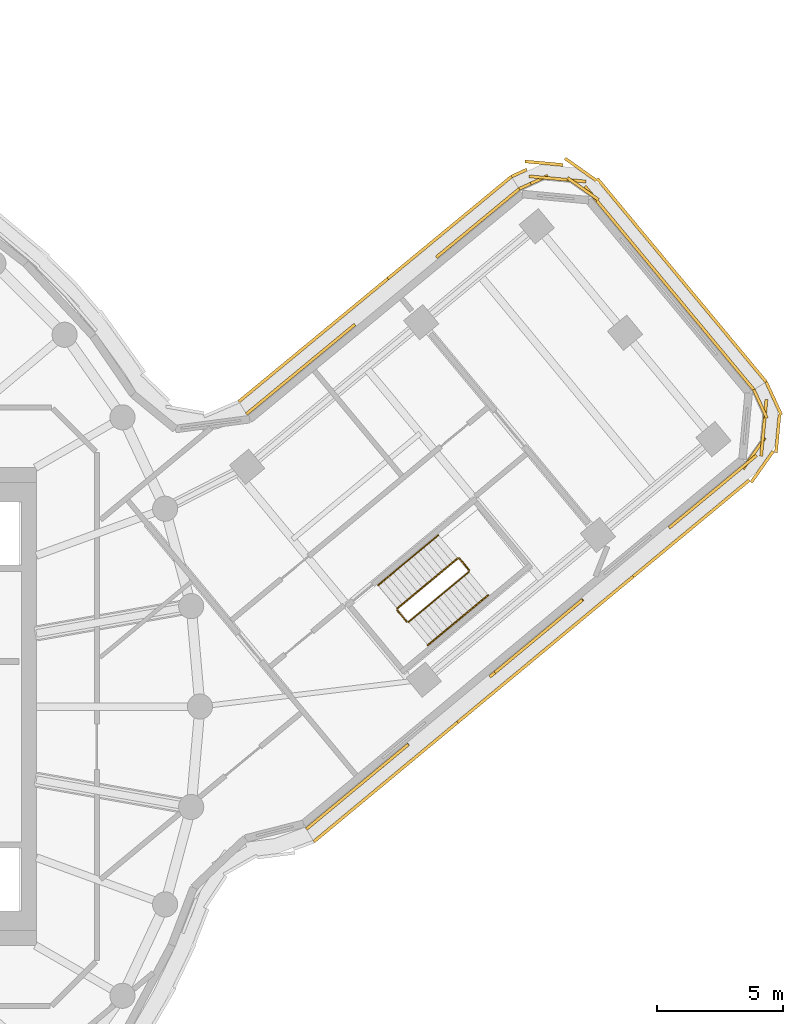
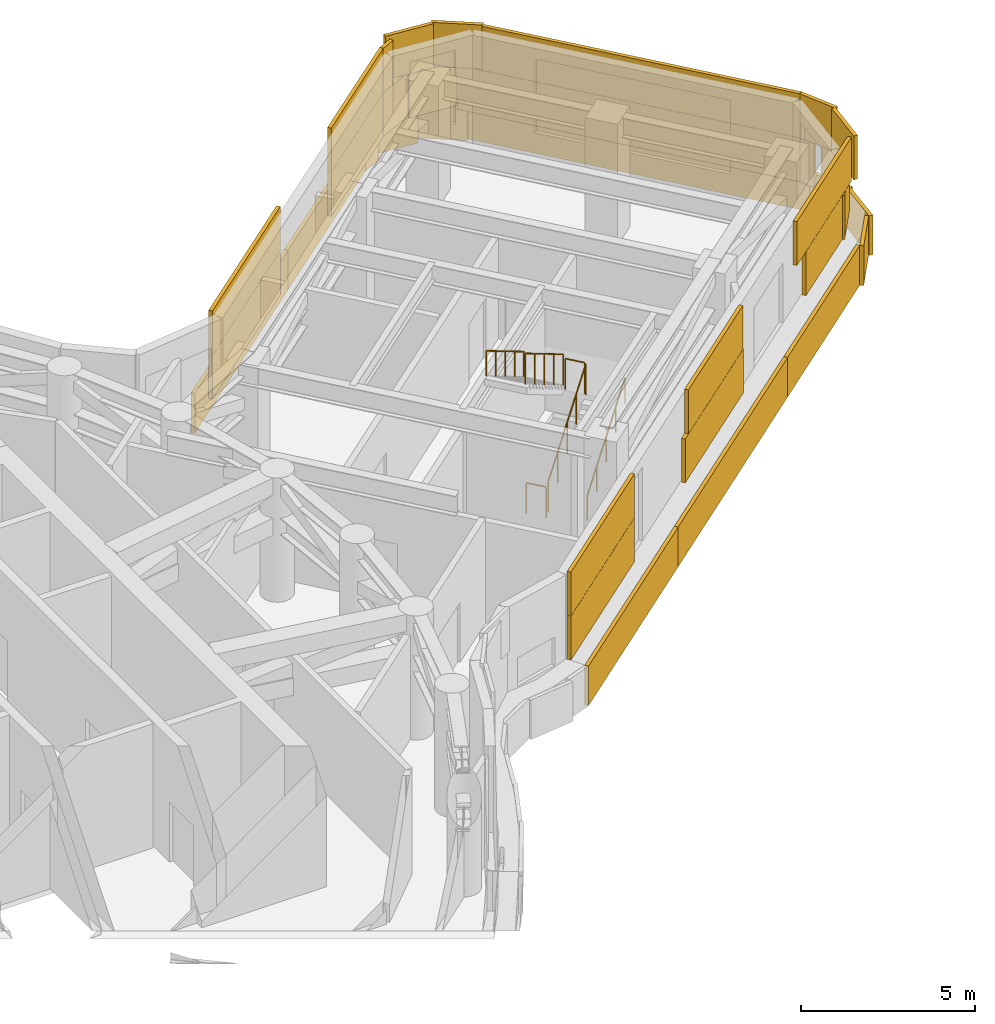
# One storey, part 20 of 22: 6 coverings, 6 railings.
"""IFC4 building model written with IfcOpenShell, lengths in metres."""

import ifcopenshell
import ifcopenshell.guid

model = None  # the IFC model being written
_history = None  # IfcOwnerHistory: only IFC2X3 demands one
_inside = {}  # id of a spatial element -> (the spatial element, [elements in it])
_under = {}  # id of a project, library or spatial element -> (it, [spatial elements below it])
_declared = {}  # id of a project -> (the project, [libraries it declares])
_typed = {}  # id of a type object -> (the type object, [elements of that type])
_made_of = {}  # id of a material, layer set ... -> (it, [elements and type objects made of it])


def new_model(schema):
    """Start an empty IFC model of exactly this schema.

    Asked for "IFC4X3", IfcOpenShell would pick the latest addendum, in which some entities
    have other attributes; the version numbers below select the first issue.
    IFC2X3 requires an IfcOwnerHistory on every rooted entity: one is made here for all.
    """
    global model, _history
    if schema == "IFC4X3":
        model = ifcopenshell.file(schema_version=(4, 3, 0, 0))
    else:
        model = ifcopenshell.file(schema=schema)
    _inside.clear()
    _under.clear()
    _declared.clear()
    _typed.clear()
    _made_of.clear()
    _history = None
    if model.schema == "IFC2X3":
        org = make("IfcOrganization", Name="unknown")
        user = make(
            "IfcPersonAndOrganization",
            ThePerson=make("IfcPerson", FamilyName="unknown"),
            TheOrganization=org,
        )
        app = make(
            "IfcApplication",
            ApplicationDeveloper=org,
            Version="unknown",
            ApplicationFullName="unknown",
            ApplicationIdentifier="unknown",
        )
        _history = make(
            "IfcOwnerHistory",
            OwningUser=user,
            OwningApplication=app,
            ChangeAction="ADDED",
            CreationDate=0,
        )
    return model


def make(cls, **values):
    """One entity of the class cls with the attributes given. An attribute that is None is left unset."""
    return model.create_entity(
        cls, **{name: value for name, value in values.items() if value is not None}
    )


def rooted(cls, **values):
    """An entity with a GlobalId (a new one), such as an element, a storey or a relation."""
    return make(cls, GlobalId=ifcopenshell.guid.new(), OwnerHistory=_history, **values)


def si_unit(unit_type, name, prefix=None):
    """IfcSIUnit, for example si_unit("LENGTHUNIT", "METRE", prefix="MILLI")."""
    return make("IfcSIUnit", UnitType=unit_type, Prefix=prefix, Name=name)


def assignment(units):
    """IfcUnitAssignment: the units of a project."""
    return None if units is None else make("IfcUnitAssignment", Units=units)


def point(xyz):
    """IfcCartesianPoint."""
    return None if xyz is None else make("IfcCartesianPoint", Coordinates=xyz)


def direction(xyz):
    """IfcDirection."""
    return None if xyz is None else make("IfcDirection", DirectionRatios=xyz)


def frame(location, z_axis=None, x_axis=None):
    """IfcAxis2Placement3D, a coordinate frame: its origin and axes. An axis left out is left unset."""
    return make(
        "IfcAxis2Placement3D",
        Location=point(location),
        Axis=direction(z_axis),
        RefDirection=direction(x_axis),
    )


def frame_2d(location, x_axis=None):
    """IfcAxis2Placement2D, a coordinate frame in the plane: its origin and x axis."""
    return make(
        "IfcAxis2Placement2D", Location=point(location), RefDirection=direction(x_axis)
    )


def origin():
    """The frame at (0, 0, 0) with its axes left unset."""
    return frame((0.0, 0.0, 0.0))


def origin_2d():
    """The frame at (0, 0) in the plane with its x axis left unset."""
    return frame_2d((0.0, 0.0))


def place(relative_to, where):
    """IfcLocalPlacement: puts the frame where relative to a parent placement (None: the world)."""
    return make(
        "IfcLocalPlacement", PlacementRelTo=relative_to, RelativePlacement=where
    )


def context(
    kind, dimensions, precision=None, world=None, true_north=None, identifier=None
):
    """IfcGeometricRepresentationContext, for example the 3D "Model" context."""
    return make(
        "IfcGeometricRepresentationContext",
        ContextIdentifier=identifier,
        ContextType=kind,
        CoordinateSpaceDimension=dimensions,
        Precision=precision,
        WorldCoordinateSystem=world,
        TrueNorth=true_north,
    )


def subcontext(parent, identifier, kind, view, scale=None):
    """IfcGeometricRepresentationSubContext, for example "Body" below "Model"."""
    return make(
        "IfcGeometricRepresentationSubContext",
        ContextIdentifier=identifier,
        ContextType=kind,
        ParentContext=parent,
        TargetScale=scale,
        TargetView=view,
    )


def project(units=None, contexts=None):
    """IfcProject with its units and contexts."""
    return rooted(
        "IfcProject",
        Name="project",
        RepresentationContexts=contexts,
        UnitsInContext=assignment(units),
    )


def spatial(cls, under=None, at=None, **own):
    """A site, building, storey or space (cls), placed at a placement, below another one or the project."""
    s = rooted(cls, ObjectPlacement=at, **own)
    if under is not None:
        _under.setdefault(under.id(), (under, []))[1].append(s)
    return s


def profile(cls, at=None, kind="AREA", **sizes):
    """A parametric profile (cls). Its sizes go by their IFC names, for example OverallWidth=200.0."""
    return make(cls, ProfileType=kind, Position=at, **sizes)


def rectangle(**sizes):
    """IfcRectangleProfileDef."""
    return profile("IfcRectangleProfileDef", **sizes)


def circle(**sizes):
    """IfcCircleProfileDef."""
    return profile("IfcCircleProfileDef", **sizes)


def extrude(swept, where, along, depth):
    """IfcExtrudedAreaSolid: the profile swept, set in the frame where, extruded along a direction by depth."""
    return make(
        "IfcExtrudedAreaSolid",
        SweptArea=swept,
        Position=where,
        ExtrudedDirection=direction(along),
        Depth=depth,
    )


def shape(context_of_items, identifier, shape_type, items):
    """IfcShapeRepresentation: the items that make up one representation, for example the "Body"."""
    return make(
        "IfcShapeRepresentation",
        ContextOfItems=context_of_items,
        RepresentationIdentifier=identifier,
        RepresentationType=shape_type,
        Items=items,
    )


def material(Name=None, Category=None):
    """IfcMaterial."""
    return make("IfcMaterial", Name=Name, Category=Category)


def layer(
    of_material, thickness, ventilated=None, Name=None, Category=None, Priority=None
):
    """IfcMaterialLayer: one layer of a wall or slab, of a material (None: an air gap)."""
    return make(
        "IfcMaterialLayer",
        Material=of_material,
        LayerThickness=thickness,
        IsVentilated=ventilated,
        Name=Name,
        Category=Category,
        Priority=Priority,
    )


def layer_set(layers, Name=None):
    """IfcMaterialLayerSet."""
    return make("IfcMaterialLayerSet", MaterialLayers=layers, LayerSetName=Name)


def made_of(thing, what):
    """Note that an element or type object is made of a material, layer set ...; save() writes the relation."""
    if what is not None:
        _made_of.setdefault(what.id(), (what, []))[1].append(thing)
    return thing


def type_object(cls, material=None, **own):
    """A type object (cls), such as IfcWallType, which elements share."""
    return made_of(rooted(cls, **own), material)


def element(
    cls,
    number,
    at=None,
    inside=None,
    cuts=None,
    type_object=None,
    material=None,
    context=None,
    identifier="Body",
    shape_type=None,
    held_by="IfcProductDefinitionShape",
    body=None,
    shapes=None,
    **own,
):
    """One element of the class cls, such as IfcWall. Its Tag is "e" and its number.

    at: its placement. inside: the storey or other place that contains it. cuts: it is an
    opening in that element (IfcRelVoidsElement). A single representation is given by context,
    identifier, shape_type and body (its items); several are given by shapes. held_by: the class
    of the entity that holds the representations. save() writes the other relations.
    """
    e = rooted(cls, Tag="e%d" % number, ObjectPlacement=at, **own)
    if body is not None:
        shapes = [shape(context, identifier, shape_type, body)]
    if shapes is not None:
        e.Representation = make(held_by, Representations=shapes)
    if inside is not None:
        _inside.setdefault(inside.id(), (inside, []))[1].append(e)
    if cuts is not None:
        rooted(
            "IfcRelVoidsElement", RelatingBuildingElement=cuts, RelatedOpeningElement=e
        )
    if type_object is not None:
        _typed.setdefault(type_object.id(), (type_object, []))[1].append(e)
    return made_of(e, material)


def aggregate(whole, parts):
    """IfcRelAggregates: a whole, such as a stair, and the parts it consists of."""
    return rooted("IfcRelAggregates", RelatingObject=whole, RelatedObjects=parts)


def save(model, path):
    """Write the relations noted so far, then the file.

    IfcRelAggregates (storeys below a building ...), IfcRelContainedInSpatialStructure (elements
    in a storey), IfcRelDefinesByType, IfcRelAssociatesMaterial and IfcRelDeclares: one each for
    every whole, place, type object, material and project.
    """
    for whole, parts in _under.values():
        aggregate(whole, parts)
    for where, things in _inside.values():
        rooted(
            "IfcRelContainedInSpatialStructure",
            RelatedElements=things,
            RelatingStructure=where,
        )
    for kind, things in _typed.values():
        rooted("IfcRelDefinesByType", RelatedObjects=things, RelatingType=kind)
    for what, things in _made_of.values():
        rooted("IfcRelAssociatesMaterial", RelatedObjects=things, RelatingMaterial=what)
    for by, libraries in _declared.values():
        rooted("IfcRelDeclares", RelatingContext=by, RelatedDefinitions=libraries)
    model.write(path)


model = new_model("IFC4")

# Units and contexts
model_context = context("Model", 3, precision=1e-05, world=origin(), true_north=direction((0.0, 1.0)))
body_context = subcontext(model_context, "Body", "Model", "MODEL_VIEW")
ifc_project = project(units=[si_unit("LENGTHUNIT", "METRE"), si_unit("AREAUNIT", "SQUARE_METRE"), si_unit("VOLUMEUNIT", "CUBIC_METRE"), si_unit("PLANEANGLEUNIT", "RADIAN"), si_unit("MASSUNIT", "GRAM", prefix="KILO")], contexts=[model_context])

# Site, building, storey
site_placement = place(None, origin())
site = spatial("IfcSite", under=ifc_project, at=site_placement, CompositionType="ELEMENT")
building_placement = place(site_placement, origin())
building = spatial("IfcBuilding", under=site, at=building_placement, Name="Tamarind Cross Interchange Tower", CompositionType="ELEMENT")
storey_placement = place(building_placement, frame((0.0, 0.0, 178.0)))
storey = spatial("IfcBuildingStorey", under=building, at=storey_placement, Name="L44", CompositionType="ELEMENT", Elevation=178.0)

# Railings
ifc_material_1 = material(Name="Stair guard")
railing_type_1 = type_object("IfcRailingType", Name="Stair guard", PredefinedType="GUARDRAIL", material=ifc_material_1)
railing_1_placement = place(storey_placement, frame((31.295166015625, 3.363525390625, 0.173095703125)))
element("IfcRailing", 1, at=railing_1_placement, inside=storey, type_object=railing_type_1, Name="L44 ST3 stair guard 1", PredefinedType="GUARDRAIL", context=body_context, shape_type="SweptSolid", body=[
    extrude(circle(Radius=0.02392578125, at=origin_2d()), frame((0.0, 0.0, 1.076171875), z_axis=(0.640454117003, 0.531735858126, 0.55414393545), x_axis=(-0.638782471217, 0.769387389074, 0.0)), (0.0, 0.0, 1.0), 3.748046875),
    extrude(circle(Radius=0.02099609375, at=origin_2d()), origin(), (0.0, 0.0, 1.0), 1.052001953125),
    extrude(circle(Radius=0.02099609375, at=origin_2d()), frame((0.60009765625, 0.498291015625, 0.519287109375)), (0.0, 0.0, 1.0), 1.052001953125),
    extrude(circle(Radius=0.02099609375, at=origin_2d()), frame((1.2001953125, 0.99658203125, 1.03857421875)), (0.0, 0.0, 1.0), 1.052001953125),
    extrude(circle(Radius=0.02099609375, at=origin_2d()), frame((1.80029296875, 1.49462890625, 1.5576171875)), (0.0, 0.0, 1.0), 1.052001953125),
    extrude(circle(Radius=0.02099609375, at=origin_2d()), frame((2.400390625, 1.992919921875, 2.076904296875)), (0.0, 0.0, 1.0), 1.052001953125),
])
railing_2_placement = place(storey_placement, frame((33.7021484375, 5.427001953125, 2.25)))
element("IfcRailing", 2, at=railing_2_placement, inside=storey, type_object=railing_type_1, Name="L44 ST3 stair guard 2", PredefinedType="GUARDRAIL", context=body_context, shape_type="SweptSolid", body=[
    extrude(circle(Radius=0.02392578125, at=origin_2d()), frame((0.0, 0.0, 1.076171875), z_axis=(-0.638982647588, 0.769221149008, 0.0), x_axis=(-0.769221149008, -0.638982647588, 0.0)), (0.0, 0.0, 1.0), 0.599853515625),
    extrude(circle(Radius=0.02099609375, at=origin_2d()), origin(), (0.0, 0.0, 1.0), 1.052001953125),
    extrude(circle(Radius=0.02099609375, at=origin_2d()), frame((-0.38330078125, 0.46142578125, 0.0)), (0.0, 0.0, 1.0), 1.052001953125),
])
railing_3_placement = place(storey_placement, frame((33.24853515625, 5.89501953125, 2.423095703125)))
element("IfcRailing", 3, at=railing_3_placement, inside=storey, type_object=railing_type_1, Name="L44 ST3 stair guard 3", PredefinedType="GUARDRAIL", context=body_context, shape_type="SweptSolid", body=[
    extrude(circle(Radius=0.02392578125, at=origin_2d()), frame((0.0, 0.0, 1.076171875), z_axis=(-0.640492535236, -0.531713674884, 0.554120817375), x_axis=(0.638744013446, -0.769419316944, 0.0)), (0.0, 0.0, 1.0), 3.748046875),
    extrude(circle(Radius=0.02099609375, at=origin_2d()), origin(), (0.0, 0.0, 1.0), 1.052001953125),
    extrude(circle(Radius=0.02099609375, at=origin_2d()), frame((-0.60009765625, -0.498291015625, 0.519287109375)), (0.0, 0.0, 1.0), 1.052001953125),
    extrude(circle(Radius=0.02099609375, at=origin_2d()), frame((-1.2001953125, -0.99658203125, 1.03857421875)), (0.0, 0.0, 1.0), 1.052001953125),
    extrude(circle(Radius=0.02099609375, at=origin_2d()), frame((-1.800537109375, -1.49462890625, 1.5576171875)), (0.0, 0.0, 1.0), 1.052001953125),
    extrude(circle(Radius=0.02099609375, at=origin_2d()), frame((-2.400634765625, -1.992919921875, 2.076904296875)), (0.0, 0.0, 1.0), 1.052001953125),
])
railing_4_placement = place(storey_placement, frame((31.224853515625, 3.369873046875, 0.0)))
element("IfcRailing", 4, at=railing_4_placement, inside=storey, type_object=railing_type_1, Name="L44 ST3 stair guard 4", PredefinedType="GUARDRAIL", context=body_context, shape_type="SweptSolid", body=[
    extrude(circle(Radius=0.02392578125, at=origin_2d()), frame((0.0, 0.0, 1.076171875), z_axis=(-0.638782642692, 0.769387246707, 0.0), x_axis=(-0.769387246707, -0.638782642692, 0.0)), (0.0, 0.0, 1.0), 0.60009765625),
    extrude(circle(Radius=0.02099609375, at=origin_2d()), origin(), (0.0, 0.0, 1.0), 1.052001953125),
    extrude(circle(Radius=0.02099609375, at=origin_2d()), frame((-0.38330078125, 0.461669921875, 0.0)), (0.0, 0.0, 1.0), 1.052001953125),
])
ifc_material_2 = material(Name="Stair handrail")
railing_type_2 = type_object("IfcRailingType", Name="Stair handrail", PredefinedType="HANDRAIL", material=ifc_material_2)
railing_5_placement = place(storey_placement, frame((32.061767578125, 2.440185546875, 0.173095703125)))
element("IfcRailing", 5, at=railing_5_placement, inside=storey, type_object=railing_type_2, Name="L44 ST3 stair handrail 1", PredefinedType="HANDRAIL", context=body_context, shape_type="SweptSolid", body=[
    extrude(circle(Radius=0.02392578125, at=origin_2d()), frame((0.0, 0.0, 0.8759765625), z_axis=(0.640431933294, 0.531782577646, 0.554124741307), x_axis=(-0.638828790386, 0.769348930313, 0.0)), (0.0, 0.0, 1.0), 3.748046875),
    extrude(circle(Radius=0.02099609375, at=origin_2d()), origin(), (0.0, 0.0, 1.0), 0.851806640625),
    extrude(circle(Radius=0.02099609375, at=origin_2d()), frame((0.60009765625, 0.498291015625, 0.519287109375)), (0.0, 0.0, 1.0), 0.851806640625),
    extrude(circle(Radius=0.02099609375, at=origin_2d()), frame((1.2001953125, 0.99658203125, 1.03857421875)), (0.0, 0.0, 1.0), 0.851806640625),
    extrude(circle(Radius=0.02099609375, at=origin_2d()), frame((1.80029296875, 1.494873046875, 1.5576171875)), (0.0, 0.0, 1.0), 0.851806640625),
    extrude(circle(Radius=0.02099609375, at=origin_2d()), frame((2.400390625, 1.9931640625, 2.076904296875)), (0.0, 0.0, 1.0), 0.851806640625),
])
railing_6_placement = place(storey_placement, frame((32.48193359375, 6.818359375, 2.423095703125)))
element("IfcRailing", 6, at=railing_6_placement, inside=storey, type_object=railing_type_2, Name="L44 ST3 stair handrail 2", PredefinedType="HANDRAIL", context=body_context, shape_type="SweptSolid", body=[
    extrude(circle(Radius=0.02392578125, at=origin_2d()), frame((0.0, 0.0, 0.8759765625), z_axis=(-0.640431933294, -0.531782577646, 0.554124741307), x_axis=(0.638828790386, -0.769348930313, 0.0)), (0.0, 0.0, 1.0), 3.748046875),
    extrude(circle(Radius=0.02099609375, at=origin_2d()), origin(), (0.0, 0.0, 1.0), 0.851806640625),
    extrude(circle(Radius=0.02099609375, at=origin_2d()), frame((-0.60009765625, -0.498291015625, 0.519287109375)), (0.0, 0.0, 1.0), 0.851806640625),
    extrude(circle(Radius=0.02099609375, at=origin_2d()), frame((-1.2001953125, -0.99658203125, 1.03857421875)), (0.0, 0.0, 1.0), 0.851806640625),
    extrude(circle(Radius=0.02099609375, at=origin_2d()), frame((-1.80029296875, -1.494873046875, 1.5576171875)), (0.0, 0.0, 1.0), 0.851806640625),
    extrude(circle(Radius=0.02099609375, at=origin_2d()), frame((-2.400390625, -1.9931640625, 2.076904296875)), (0.0, 0.0, 1.0), 0.851806640625),
])

# Coverings
ifc_material_3 = material(Name="Terracotta", Category="masonry")
ifc_layer = layer(ifc_material_3, 0.1201171875)
ifc_layer_set = layer_set([ifc_layer], Name="Terracotta")
covering_type = type_object("IfcCoveringType", Name="Terracotta baguette screen unit", PredefinedType="MOLDING", material=ifc_layer_set)
covering_1_placement = place(storey_placement, origin())
element("IfcCovering", 7, at=covering_1_placement, inside=storey, type_object=covering_type, Name="SCR-L44-07-00", PredefinedType="MOLDING", context=body_context, shape_type="SweptSolid", body=[
    extrude(rectangle(XDim=1.510009765625, YDim=0.1201171875, at=origin_2d()), frame((27.811767578125, -4.389892578125, 1.404052734375), z_axis=(0.0, 0.0, 1.0), x_axis=(0.769372797728, 0.638800045488, 0.0)), (0.0, 0.0, 1.0), 1.5419921875),
    extrude(rectangle(XDim=1.52001953125, YDim=0.1201171875, at=origin_2d()), frame((28.9658203125, -3.431640625, 1.404052734375), z_axis=(0.0, 0.0, 1.0), x_axis=(0.769372797728, 0.638800045488, 0.0)), (0.0, 0.0, 1.0), 1.5419921875),
    extrude(rectangle(XDim=1.52001953125, YDim=0.1201171875, at=origin_2d()), frame((30.119873046875, -2.4736328125, 1.404052734375), z_axis=(0.0, 0.0, 1.0), x_axis=(0.769372797728, 0.638800045488, 0.0)), (0.0, 0.0, 1.0), 1.5419921875),
    extrude(rectangle(XDim=0.786376953125, YDim=0.1201171875, at=origin_2d()), frame((30.99560546875, -1.746337890625, 1.404052734375), z_axis=(0.0, 0.0, 1.0), x_axis=(0.769372797728, 0.638800045488, 0.0)), (0.0, 0.0, 1.0), 1.5419921875),
    extrude(rectangle(XDim=0.760009765625, YDim=0.1201171875, at=origin_2d()), frame((27.523193359375, -4.62939453125, 2.9541015625), z_axis=(0.0, 0.0, 1.0), x_axis=(0.769372797728, 0.638800045488, 0.0)), (0.0, 0.0, 1.0), 1.5419921875),
    extrude(rectangle(XDim=1.52001953125, YDim=0.1201171875, at=origin_2d()), frame((28.388671875, -3.910888671875, 2.9541015625), z_axis=(0.0, 0.0, 1.0), x_axis=(0.769372797728, 0.638800045488, 0.0)), (0.0, 0.0, 1.0), 1.5419921875),
    extrude(rectangle(XDim=1.52001953125, YDim=0.1201171875, at=origin_2d()), frame((29.542724609375, -2.95263671875, 2.9541015625), z_axis=(0.0, 0.0, 1.0), x_axis=(0.769372797728, 0.638800045488, 0.0)), (0.0, 0.0, 1.0), 1.5419921875),
    extrude(rectangle(XDim=1.52001953125, YDim=0.1201171875, at=origin_2d()), frame((30.69677734375, -1.994384765625, 2.9541015625), z_axis=(0.0, 0.0, 1.0), x_axis=(0.769372797728, 0.638800045488, 0.0)), (0.0, 0.0, 1.0), 1.5419921875),
    extrude(rectangle(XDim=1.510009765625, YDim=0.1201171875, at=origin_2d()), frame((28.107421875, -4.890380859375, 0.00390625), z_axis=(0.0, 0.0, 1.0), x_axis=(0.769372797728, 0.638800045488, 0.0)), (0.0, 0.0, 1.0), 1.39208984375),
    extrude(rectangle(XDim=1.52001953125, YDim=0.1201171875, at=origin_2d()), frame((29.257568359375, -3.935302734375, 0.00390625), z_axis=(0.0, 0.0, 1.0), x_axis=(0.769372797728, 0.638800045488, 0.0)), (0.0, 0.0, 1.0), 1.39208984375),
    extrude(rectangle(XDim=1.52001953125, YDim=0.1201171875, at=origin_2d()), frame((30.41162109375, -2.977294921875, 0.00390625), z_axis=(0.0, 0.0, 1.0), x_axis=(0.769372797728, 0.638800045488, 0.0)), (0.0, 0.0, 1.0), 1.39208984375),
    extrude(rectangle(XDim=1.52001953125, YDim=0.1201171875, at=origin_2d()), frame((31.565673828125, -2.01904296875, 0.00390625), z_axis=(0.0, 0.0, 1.0), x_axis=(0.769372797728, 0.638800045488, 0.0)), (0.0, 0.0, 1.0), 1.39208984375),
    extrude(rectangle(XDim=1.4423828125, YDim=0.1201171875, at=origin_2d()), frame((32.68994140625, -1.085693359375, 0.00390625), z_axis=(0.0, 0.0, 1.0), x_axis=(0.769372797728, 0.638800045488, 0.0)), (0.0, 0.0, 1.0), 1.39208984375),
])
covering_2_placement = place(storey_placement, origin())
element("IfcCovering", 8, at=covering_2_placement, inside=storey, type_object=covering_type, Name="SCR-L44-07-01", PredefinedType="MOLDING", context=body_context, shape_type="SweptSolid", body=[
    extrude(rectangle(XDim=1.03369140625, YDim=0.1201171875, at=origin_2d()), frame((34.91943359375, 1.511474609375, 1.404052734375), z_axis=(0.0, 0.0, 1.0), x_axis=(0.769372797728, 0.638800045488, 0.0)), (0.0, 0.0, 1.0), 1.5419921875),
    extrude(rectangle(XDim=1.52001953125, YDim=0.1201171875, at=origin_2d()), frame((35.89013671875, 2.3173828125, 1.404052734375), z_axis=(0.0, 0.0, 1.0), x_axis=(0.769372797728, 0.638800045488, 0.0)), (0.0, 0.0, 1.0), 1.5419921875),
    extrude(rectangle(XDim=1.52001953125, YDim=0.1201171875, at=origin_2d()), frame((37.044189453125, 3.275634765625, 1.404052734375), z_axis=(0.0, 0.0, 1.0), x_axis=(0.769372797728, 0.638800045488, 0.0)), (0.0, 0.0, 1.0), 1.5419921875),
    extrude(rectangle(XDim=0.797119140625, YDim=0.1201171875, at=origin_2d()), frame((37.924072265625, 4.006103515625, 1.404052734375), z_axis=(0.0, 0.0, 1.0), x_axis=(0.769372797728, 0.638800045488, 0.0)), (0.0, 0.0, 1.0), 1.5419921875),
    extrude(rectangle(XDim=1.52001953125, YDim=0.1201171875, at=origin_2d()), frame((35.31298828125, 1.83837890625, 2.9541015625), z_axis=(0.0, 0.0, 1.0), x_axis=(0.769372797728, 0.638800045488, 0.0)), (0.0, 0.0, 1.0), 1.5419921875),
    extrude(rectangle(XDim=1.52001953125, YDim=0.1201171875, at=origin_2d()), frame((36.467041015625, 2.796630859375, 2.9541015625), z_axis=(0.0, 0.0, 1.0), x_axis=(0.769372797728, 0.638800045488, 0.0)), (0.0, 0.0, 1.0), 1.5419921875),
    extrude(rectangle(XDim=1.52001953125, YDim=0.1201171875, at=origin_2d()), frame((37.62109375, 3.7548828125, 2.9541015625), z_axis=(0.0, 0.0, 1.0), x_axis=(0.769372797728, 0.638800045488, 0.0)), (0.0, 0.0, 1.0), 1.5419921875),
    extrude(rectangle(XDim=0.07763671875, YDim=0.1201171875, at=origin_2d()), frame((33.274658203125, -0.60009765625, 0.00390625), z_axis=(0.0, 0.0, 1.0), x_axis=(0.769372797728, 0.638800045488, 0.0)), (0.0, 0.0, 1.0), 1.39208984375),
    extrude(rectangle(XDim=1.52001953125, YDim=0.1201171875, at=origin_2d()), frame((33.8740234375, -0.1025390625, 0.00390625), z_axis=(0.0, 0.0, 1.0), x_axis=(0.769372797728, 0.638800045488, 0.0)), (0.0, 0.0, 1.0), 1.39208984375),
    extrude(rectangle(XDim=1.52001953125, YDim=0.1201171875, at=origin_2d()), frame((35.028076171875, 0.85546875, 0.00390625), z_axis=(0.0, 0.0, 1.0), x_axis=(0.769372797728, 0.638800045488, 0.0)), (0.0, 0.0, 1.0), 1.39208984375),
    extrude(rectangle(XDim=1.52001953125, YDim=0.1201171875, at=origin_2d()), frame((36.18212890625, 1.813720703125, 0.00390625), z_axis=(0.0, 0.0, 1.0), x_axis=(0.769372797728, 0.638800045488, 0.0)), (0.0, 0.0, 1.0), 1.39208984375),
    extrude(rectangle(XDim=1.52001953125, YDim=0.1201171875, at=origin_2d()), frame((37.336181640625, 2.77197265625, 0.00390625), z_axis=(0.0, 0.0, 1.0), x_axis=(0.769372797728, 0.638800045488, 0.0)), (0.0, 0.0, 1.0), 1.39208984375),
    extrude(rectangle(XDim=1.52001953125, YDim=0.1201171875, at=origin_2d()), frame((38.490234375, 3.730224609375, 0.00390625), z_axis=(0.0, 0.0, 1.0), x_axis=(0.769372797728, 0.638800045488, 0.0)), (0.0, 0.0, 1.0), 1.39208984375),
    extrude(rectangle(XDim=1.52001953125, YDim=0.1201171875, at=origin_2d()), frame((39.644287109375, 4.6884765625, 0.00390625), z_axis=(0.0, 0.0, 1.0), x_axis=(0.769372797728, 0.638800045488, 0.0)), (0.0, 0.0, 1.0), 1.39208984375),
])
covering_3_placement = place(storey_placement, origin())
element("IfcCovering", 9, at=covering_3_placement, inside=storey, type_object=covering_type, Name="SCR-L44-07-02", PredefinedType="MOLDING", context=body_context, shape_type="SweptSolid", body=[
    extrude(rectangle(XDim=1.52001953125, YDim=0.1201171875, at=origin_2d()), frame((42.814453125, 8.066650390625, 1.404052734375), z_axis=(0.0, 0.0, 1.0), x_axis=(0.769372797728, 0.638800045488, 0.0)), (0.0, 0.0, 1.0), 1.5419921875),
    extrude(rectangle(XDim=1.52001953125, YDim=0.1201171875, at=origin_2d()), frame((43.968505859375, 9.02490234375, 1.404052734375), z_axis=(0.0, 0.0, 1.0), x_axis=(0.769372797728, 0.638800045488, 0.0)), (0.0, 0.0, 1.0), 1.5419921875),
    extrude(rectangle(XDim=1.52001953125, YDim=0.1201171875, at=origin_2d()), frame((45.02978515625, 10.069091796875, 1.404052734375), z_axis=(0.0, 0.0, 1.0), x_axis=(0.577823437585, 0.816161794608, 0.0)), (0.0, 0.0, 1.0), 1.5419921875),
    extrude(rectangle(XDim=1.52001953125, YDim=0.1201171875, at=origin_2d()), frame((45.453125, 11.457275390625, 1.404052734375), z_axis=(0.0, 0.0, 1.0), x_axis=(0.092328878547, 0.995728566521, 0.0)), (0.0, 0.0, 1.0), 1.5419921875),
    extrude(rectangle(XDim=0.50146484375, YDim=0.1201171875, at=origin_2d()), frame((45.1240234375, 12.376708984375, 1.404052734375), z_axis=(0.0, 0.0, 1.0), x_axis=(-0.417905128936, 0.908490673155, 0.0)), (0.0, 0.0, 1.0), 1.5419921875),
    extrude(rectangle(XDim=1.52001953125, YDim=0.1201171875, at=origin_2d()), frame((42.237548828125, 7.587646484375, 2.9541015625), z_axis=(0.0, 0.0, 1.0), x_axis=(0.769372797728, 0.638800045488, 0.0)), (0.0, 0.0, 1.0), 1.5419921875),
    extrude(rectangle(XDim=1.52001953125, YDim=0.1201171875, at=origin_2d()), frame((43.3916015625, 8.5458984375, 2.9541015625), z_axis=(0.0, 0.0, 1.0), x_axis=(0.769372797728, 0.638800045488, 0.0)), (0.0, 0.0, 1.0), 1.5419921875),
    extrude(rectangle(XDim=1.52001953125, YDim=0.1201171875, at=origin_2d()), frame((44.545654296875, 9.50390625, 2.9541015625), z_axis=(0.0, 0.0, 1.0), x_axis=(0.769372797728, 0.638800045488, 0.0)), (0.0, 0.0, 1.0), 1.5419921875),
    extrude(rectangle(XDim=1.52001953125, YDim=0.1201171875, at=origin_2d()), frame((45.384033203125, 10.71044921875, 2.9541015625), z_axis=(0.0, 0.0, 1.0), x_axis=(0.092328878547, 0.995728566521, 0.0)), (0.0, 0.0, 1.0), 1.5419921875),
    extrude(rectangle(XDim=1.25146484375, YDim=0.1201171875, at=origin_2d()), frame((45.28076171875, 12.0361328125, 2.9541015625), z_axis=(0.0, 0.0, 1.0), x_axis=(-0.417905128936, 0.908490673155, 0.0)), (0.0, 0.0, 1.0), 1.5419921875),
    extrude(rectangle(XDim=1.49853515625, YDim=0.1201171875, at=origin_2d()), frame((40.806396484375, 5.6533203125, 0.00390625), z_axis=(0.0, 0.0, 1.0), x_axis=(0.769372797728, 0.638800045488, 0.0)), (0.0, 0.0, 1.0), 1.39208984375),
    extrude(rectangle(XDim=1.52001953125, YDim=0.1201171875, at=origin_2d()), frame((41.952392578125, 6.604736328125, 0.00390625), z_axis=(0.0, 0.0, 1.0), x_axis=(0.769372797728, 0.638800045488, 0.0)), (0.0, 0.0, 1.0), 1.39208984375),
    extrude(rectangle(XDim=1.52001953125, YDim=0.1201171875, at=origin_2d()), frame((43.1064453125, 7.56298828125, 0.00390625), z_axis=(0.0, 0.0, 1.0), x_axis=(0.769372797728, 0.638800045488, 0.0)), (0.0, 0.0, 1.0), 1.39208984375),
    extrude(rectangle(XDim=1.52001953125, YDim=0.1201171875, at=origin_2d()), frame((44.260498046875, 8.521240234375, 0.00390625), z_axis=(0.0, 0.0, 1.0), x_axis=(0.769372797728, 0.638800045488, 0.0)), (0.0, 0.0, 1.0), 1.39208984375),
    extrude(rectangle(XDim=1.52001953125, YDim=0.1201171875, at=origin_2d()), frame((45.354736328125, 9.53466796875, 0.00390625), z_axis=(0.0, 0.0, 1.0), x_axis=(0.577823437585, 0.816161794608, 0.0)), (0.0, 0.0, 1.0), 1.39208984375),
    extrude(rectangle(XDim=1.52001953125, YDim=0.1201171875, at=origin_2d()), frame((45.973388671875, 10.8505859375, 0.00390625), z_axis=(0.0, 0.0, 1.0), x_axis=(0.092328878547, 0.995728566521, 0.0)), (0.0, 0.0, 1.0), 1.39208984375),
    extrude(rectangle(XDim=1.440673828125, YDim=0.1201171875, at=origin_2d()), frame((45.812255859375, 12.254150390625, 0.00390625), z_axis=(0.0, 0.0, 1.0), x_axis=(-0.417905128936, 0.908490673155, 0.0)), (0.0, 0.0, 1.0), 1.39208984375),
])
covering_4_placement = place(storey_placement, origin())
element("IfcCovering", 10, at=covering_4_placement, inside=storey, type_object=covering_type, Name="SCR-L44-08-00", PredefinedType="MOLDING", context=body_context, shape_type="SweptSolid", body=[
    extrude(rectangle(XDim=1.510009765625, YDim=0.1201171875, at=origin_2d()), frame((44.542236328125, 13.177001953125, 1.404052734375), z_axis=(0.0, 0.0, 1.0), x_axis=(-0.638800045488, 0.769372797728, 0.0)), (0.0, 0.0, 1.0), 1.5419921875),
    extrude(rectangle(XDim=1.52001953125, YDim=0.1201171875, at=origin_2d()), frame((43.583984375, 14.3310546875, 1.404052734375), z_axis=(0.0, 0.0, 1.0), x_axis=(-0.638800045488, 0.769372797728, 0.0)), (0.0, 0.0, 1.0), 1.5419921875),
    extrude(rectangle(XDim=1.52001953125, YDim=0.1201171875, at=origin_2d()), frame((42.625732421875, 15.485107421875, 1.404052734375), z_axis=(0.0, 0.0, 1.0), x_axis=(-0.638800045488, 0.769372797728, 0.0)), (0.0, 0.0, 1.0), 1.5419921875),
    extrude(rectangle(XDim=1.52001953125, YDim=0.1201171875, at=origin_2d()), frame((41.66748046875, 16.63916015625, 1.404052734375), z_axis=(0.0, 0.0, 1.0), x_axis=(-0.638800045488, 0.769372797728, 0.0)), (0.0, 0.0, 1.0), 1.5419921875),
    extrude(rectangle(XDim=1.52001953125, YDim=0.1201171875, at=origin_2d()), frame((40.70947265625, 17.793212890625, 1.404052734375), z_axis=(0.0, 0.0, 1.0), x_axis=(-0.638800045488, 0.769372797728, 0.0)), (0.0, 0.0, 1.0), 1.5419921875),
    extrude(rectangle(XDim=1.52001953125, YDim=0.1201171875, at=origin_2d()), frame((39.751220703125, 18.947265625, 1.404052734375), z_axis=(0.0, 0.0, 1.0), x_axis=(-0.638800045488, 0.769372797728, 0.0)), (0.0, 0.0, 1.0), 1.5419921875),
    extrude(rectangle(XDim=1.52001953125, YDim=0.1201171875, at=origin_2d()), frame((38.79296875, 20.101318359375, 1.404052734375), z_axis=(0.0, 0.0, 1.0), x_axis=(-0.638800045488, 0.769372797728, 0.0)), (0.0, 0.0, 1.0), 1.5419921875),
    extrude(rectangle(XDim=1.52001953125, YDim=0.1201171875, at=origin_2d()), frame((37.58935546875, 20.9453125, 1.404052734375), z_axis=(0.0, 0.0, 1.0), x_axis=(-0.995728566521, 0.092328878547, 0.0)), (0.0, 0.0, 1.0), 1.5419921875),
    extrude(rectangle(XDim=1.259521484375, YDim=0.1201171875, at=origin_2d()), frame((36.259521484375, 20.844482421875, 1.404052734375), z_axis=(0.0, 0.0, 1.0), x_axis=(-0.908490673155, -0.417905128936, 0.0)), (0.0, 0.0, 1.0), 1.5419921875),
    extrude(rectangle(XDim=0.760009765625, YDim=0.1201171875, at=origin_2d()), frame((44.78173828125, 12.888671875, 2.9541015625), z_axis=(0.0, 0.0, 1.0), x_axis=(-0.638800045488, 0.769372797728, 0.0)), (0.0, 0.0, 1.0), 1.5419921875),
    extrude(rectangle(XDim=1.52001953125, YDim=0.1201171875, at=origin_2d()), frame((44.06298828125, 13.754150390625, 2.9541015625), z_axis=(0.0, 0.0, 1.0), x_axis=(-0.638800045488, 0.769372797728, 0.0)), (0.0, 0.0, 1.0), 1.5419921875),
    extrude(rectangle(XDim=1.52001953125, YDim=0.1201171875, at=origin_2d()), frame((43.10498046875, 14.908203125, 2.9541015625), z_axis=(0.0, 0.0, 1.0), x_axis=(-0.638800045488, 0.769372797728, 0.0)), (0.0, 0.0, 1.0), 1.5419921875),
    extrude(rectangle(XDim=1.52001953125, YDim=0.1201171875, at=origin_2d()), frame((42.146728515625, 16.062255859375, 2.9541015625), z_axis=(0.0, 0.0, 1.0), x_axis=(-0.638800045488, 0.769372797728, 0.0)), (0.0, 0.0, 1.0), 1.5419921875),
    extrude(rectangle(XDim=1.52001953125, YDim=0.1201171875, at=origin_2d()), frame((41.1884765625, 17.21630859375, 2.9541015625), z_axis=(0.0, 0.0, 1.0), x_axis=(-0.638800045488, 0.769372797728, 0.0)), (0.0, 0.0, 1.0), 1.5419921875),
    extrude(rectangle(XDim=1.52001953125, YDim=0.1201171875, at=origin_2d()), frame((40.230224609375, 18.370361328125, 2.9541015625), z_axis=(0.0, 0.0, 1.0), x_axis=(-0.638800045488, 0.769372797728, 0.0)), (0.0, 0.0, 1.0), 1.5419921875),
    extrude(rectangle(XDim=1.52001953125, YDim=0.1201171875, at=origin_2d()), frame((39.27197265625, 19.5244140625, 2.9541015625), z_axis=(0.0, 0.0, 1.0), x_axis=(-0.638800045488, 0.769372797728, 0.0)), (0.0, 0.0, 1.0), 1.5419921875),
    extrude(rectangle(XDim=1.52001953125, YDim=0.1201171875, at=origin_2d()), frame((38.2294921875, 20.587158203125, 2.9541015625), z_axis=(0.0, 0.0, 1.0), x_axis=(-0.816161794608, 0.577823437585, 0.0)), (0.0, 0.0, 1.0), 1.5419921875),
    extrude(rectangle(XDim=1.52001953125, YDim=0.1201171875, at=origin_2d()), frame((36.842529296875, 21.0146484375, 2.9541015625), z_axis=(0.0, 0.0, 1.0), x_axis=(-0.995728566521, 0.092328878547, 0.0)), (0.0, 0.0, 1.0), 1.5419921875),
    extrude(rectangle(XDim=0.509521484375, YDim=0.1201171875, at=origin_2d()), frame((35.918701171875, 20.687744140625, 2.9541015625), z_axis=(0.0, 0.0, 1.0), x_axis=(-0.908490673155, -0.417905128936, 0.0)), (0.0, 0.0, 1.0), 1.5419921875),
    extrude(rectangle(XDim=1.510009765625, YDim=0.1201171875, at=origin_2d()), frame((45.02880859375, 13.489501953125, 0.00390625), z_axis=(0.0, 0.0, 1.0), x_axis=(-0.638800045488, 0.769372797728, 0.0)), (0.0, 0.0, 1.0), 1.39208984375),
    extrude(rectangle(XDim=1.52001953125, YDim=0.1201171875, at=origin_2d()), frame((44.073974609375, 14.6396484375, 0.00390625), z_axis=(0.0, 0.0, 1.0), x_axis=(-0.638800045488, 0.769372797728, 0.0)), (0.0, 0.0, 1.0), 1.39208984375),
    extrude(rectangle(XDim=1.52001953125, YDim=0.1201171875, at=origin_2d()), frame((43.11572265625, 15.793701171875, 0.00390625), z_axis=(0.0, 0.0, 1.0), x_axis=(-0.638800045488, 0.769372797728, 0.0)), (0.0, 0.0, 1.0), 1.39208984375),
    extrude(rectangle(XDim=1.52001953125, YDim=0.1201171875, at=origin_2d()), frame((42.157470703125, 16.94775390625, 0.00390625), z_axis=(0.0, 0.0, 1.0), x_axis=(-0.638800045488, 0.769372797728, 0.0)), (0.0, 0.0, 1.0), 1.39208984375),
    extrude(rectangle(XDim=1.52001953125, YDim=0.1201171875, at=origin_2d()), frame((41.19921875, 18.101806640625, 0.00390625), z_axis=(0.0, 0.0, 1.0), x_axis=(-0.638800045488, 0.769372797728, 0.0)), (0.0, 0.0, 1.0), 1.39208984375),
    extrude(rectangle(XDim=1.52001953125, YDim=0.1201171875, at=origin_2d()), frame((40.240966796875, 19.255859375, 0.00390625), z_axis=(0.0, 0.0, 1.0), x_axis=(-0.638800045488, 0.769372797728, 0.0)), (0.0, 0.0, 1.0), 1.39208984375),
    extrude(rectangle(XDim=1.52001953125, YDim=0.1201171875, at=origin_2d()), frame((39.282958984375, 20.409912109375, 0.00390625), z_axis=(0.0, 0.0, 1.0), x_axis=(-0.638800045488, 0.769372797728, 0.0)), (0.0, 0.0, 1.0), 1.39208984375),
    extrude(rectangle(XDim=1.52001953125, YDim=0.1201171875, at=origin_2d()), frame((38.134033203125, 21.358154296875, 0.00390625), z_axis=(0.0, 0.0, 1.0), x_axis=(-0.816161794608, 0.577823437585, 0.0)), (0.0, 0.0, 1.0), 1.39208984375),
    extrude(rectangle(XDim=1.52001953125, YDim=0.1201171875, at=origin_2d()), frame((36.680908203125, 21.60595703125, 0.00390625), z_axis=(0.0, 0.0, 1.0), x_axis=(-0.995728566521, 0.092328878547, 0.0)), (0.0, 0.0, 1.0), 1.39208984375),
    extrude(rectangle(XDim=0.67626953125, YDim=0.1201171875, at=origin_2d()), frame((35.691162109375, 21.21484375, 0.00390625), z_axis=(0.0, 0.0, 1.0), x_axis=(-0.908490673155, -0.417905128936, 0.0)), (0.0, 0.0, 1.0), 1.39208984375),
])
covering_5_placement = place(storey_placement, origin())
element("IfcCovering", 11, at=covering_5_placement, inside=storey, type_object=covering_type, Name="SCR-L44-09-00", PredefinedType="MOLDING", context=body_context, shape_type="SweptSolid", body=[
    extrude(rectangle(XDim=1.510009765625, YDim=0.1201171875, at=origin_2d()), frame((35.113525390625, 20.10595703125, 1.404052734375), z_axis=(0.0, 0.0, 1.0), x_axis=(-0.771227326834, -0.636559824639, 0.0)), (0.0, 0.0, 1.0), 1.5419921875),
    extrude(rectangle(XDim=1.52001953125, YDim=0.1201171875, at=origin_2d()), frame((33.95654296875, 19.151123046875, 1.404052734375), z_axis=(0.0, 0.0, 1.0), x_axis=(-0.771227326834, -0.636559824639, 0.0)), (0.0, 0.0, 1.0), 1.5419921875),
    extrude(rectangle(XDim=1.2802734375, YDim=0.1201171875, at=origin_2d()), frame((32.888427734375, 18.26953125, 1.404052734375), z_axis=(0.0, 0.0, 1.0), x_axis=(-0.771227326834, -0.636559824639, 0.0)), (0.0, 0.0, 1.0), 1.5419921875),
    extrude(rectangle(XDim=0.760009765625, YDim=0.1201171875, at=origin_2d()), frame((35.402587890625, 20.3447265625, 2.9541015625), z_axis=(0.0, 0.0, 1.0), x_axis=(-0.771227326834, -0.636559824639, 0.0)), (0.0, 0.0, 1.0), 1.5419921875),
    extrude(rectangle(XDim=1.52001953125, YDim=0.1201171875, at=origin_2d()), frame((34.534912109375, 19.628662109375, 2.9541015625), z_axis=(0.0, 0.0, 1.0), x_axis=(-0.771227326834, -0.636559824639, 0.0)), (0.0, 0.0, 1.0), 1.5419921875),
    extrude(rectangle(XDim=1.52001953125, YDim=0.1201171875, at=origin_2d()), frame((33.378173828125, 18.673828125, 2.9541015625), z_axis=(0.0, 0.0, 1.0), x_axis=(-0.771227326834, -0.636559824639, 0.0)), (0.0, 0.0, 1.0), 1.5419921875),
    extrude(rectangle(XDim=0.5302734375, YDim=0.1201171875, at=origin_2d()), frame((32.59912109375, 18.03076171875, 2.9541015625), z_axis=(0.0, 0.0, 1.0), x_axis=(-0.771227326834, -0.636559824639, 0.0)), (0.0, 0.0, 1.0), 1.5419921875),
    extrude(rectangle(XDim=1.510009765625, YDim=0.1201171875, at=origin_2d()), frame((34.8017578125, 20.593017578125, 0.00390625), z_axis=(0.0, 0.0, 1.0), x_axis=(-0.771227326834, -0.636559824639, 0.0)), (0.0, 0.0, 1.0), 1.39208984375),
    extrude(rectangle(XDim=1.52001953125, YDim=0.1201171875, at=origin_2d()), frame((33.64892578125, 19.641357421875, 0.00390625), z_axis=(0.0, 0.0, 1.0), x_axis=(-0.771227326834, -0.636559824639, 0.0)), (0.0, 0.0, 1.0), 1.39208984375),
    extrude(rectangle(XDim=1.52001953125, YDim=0.1201171875, at=origin_2d()), frame((32.491943359375, 18.6865234375, 0.00390625), z_axis=(0.0, 0.0, 1.0), x_axis=(-0.771227326834, -0.636559824639, 0.0)), (0.0, 0.0, 1.0), 1.39208984375),
    extrude(rectangle(XDim=1.52001953125, YDim=0.1201171875, at=origin_2d()), frame((31.335205078125, 17.731689453125, 0.00390625), z_axis=(0.0, 0.0, 1.0), x_axis=(-0.771227326834, -0.636559824639, 0.0)), (0.0, 0.0, 1.0), 1.39208984375),
    extrude(rectangle(XDim=0.376708984375, YDim=0.1201171875, at=origin_2d()), frame((30.619140625, 17.140625, 0.00390625), z_axis=(0.0, 0.0, 1.0), x_axis=(-0.771227326834, -0.636559824639, 0.0)), (0.0, 0.0, 1.0), 1.39208984375),
])
covering_6_placement = place(storey_placement, origin())
element("IfcCovering", 12, at=covering_6_placement, inside=storey, type_object=covering_type, Name="SCR-L44-09-01", PredefinedType="MOLDING", context=body_context, shape_type="SweptSolid", body=[
    extrude(rectangle(XDim=0.539794921875, YDim=0.1201171875, at=origin_2d()), frame((28.955078125, 15.02294921875, 1.404052734375), z_axis=(0.0, 0.0, 1.0), x_axis=(-0.771227326834, -0.636559824639, 0.0)), (0.0, 0.0, 1.0), 1.5419921875),
    extrude(rectangle(XDim=1.52001953125, YDim=0.1201171875, at=origin_2d()), frame((28.17236328125, 14.376953125, 1.404052734375), z_axis=(0.0, 0.0, 1.0), x_axis=(-0.771227326834, -0.636559824639, 0.0)), (0.0, 0.0, 1.0), 1.5419921875),
    extrude(rectangle(XDim=1.52001953125, YDim=0.1201171875, at=origin_2d()), frame((27.015625, 13.422119140625, 1.404052734375), z_axis=(0.0, 0.0, 1.0), x_axis=(-0.771227326834, -0.636559824639, 0.0)), (0.0, 0.0, 1.0), 1.5419921875),
    extrude(rectangle(XDim=1.52001953125, YDim=0.1201171875, at=origin_2d()), frame((25.858642578125, 12.46728515625, 1.404052734375), z_axis=(0.0, 0.0, 1.0), x_axis=(-0.771227326834, -0.636559824639, 0.0)), (0.0, 0.0, 1.0), 1.5419921875),
    extrude(rectangle(XDim=0.570556640625, YDim=0.1201171875, at=origin_2d()), frame((25.064208984375, 11.8115234375, 1.404052734375), z_axis=(0.0, 0.0, 1.0), x_axis=(-0.771227326834, -0.636559824639, 0.0)), (0.0, 0.0, 1.0), 1.5419921875),
    extrude(rectangle(XDim=1.289794921875, YDim=0.1201171875, at=origin_2d()), frame((28.665771484375, 14.7841796875, 2.9541015625), z_axis=(0.0, 0.0, 1.0), x_axis=(-0.771227326834, -0.636559824639, 0.0)), (0.0, 0.0, 1.0), 1.5419921875),
    extrude(rectangle(XDim=1.52001953125, YDim=0.1201171875, at=origin_2d()), frame((27.593994140625, 13.899658203125, 2.9541015625), z_axis=(0.0, 0.0, 1.0), x_axis=(-0.771227326834, -0.636559824639, 0.0)), (0.0, 0.0, 1.0), 1.5419921875),
    extrude(rectangle(XDim=1.52001953125, YDim=0.1201171875, at=origin_2d()), frame((26.43701171875, 12.944580078125, 2.9541015625), z_axis=(0.0, 0.0, 1.0), x_axis=(-0.771227326834, -0.636559824639, 0.0)), (0.0, 0.0, 1.0), 1.5419921875),
    extrude(rectangle(XDim=1.320556640625, YDim=0.1201171875, at=origin_2d()), frame((25.353271484375, 12.050048828125, 2.9541015625), z_axis=(0.0, 0.0, 1.0), x_axis=(-0.771227326834, -0.636559824639, 0.0)), (0.0, 0.0, 1.0), 1.5419921875),
    extrude(rectangle(XDim=1.14306640625, YDim=0.1201171875, at=origin_2d()), frame((30.032958984375, 16.656982421875, 0.00390625), z_axis=(0.0, 0.0, 1.0), x_axis=(-0.771227326834, -0.636559824639, 0.0)), (0.0, 0.0, 1.0), 1.39208984375),
    extrude(rectangle(XDim=1.52001953125, YDim=0.1201171875, at=origin_2d()), frame((29.021484375, 15.822021484375, 0.00390625), z_axis=(0.0, 0.0, 1.0), x_axis=(-0.771227326834, -0.636559824639, 0.0)), (0.0, 0.0, 1.0), 1.39208984375),
    extrude(rectangle(XDim=1.52001953125, YDim=0.1201171875, at=origin_2d()), frame((27.86474609375, 14.8671875, 0.00390625), z_axis=(0.0, 0.0, 1.0), x_axis=(-0.771227326834, -0.636559824639, 0.0)), (0.0, 0.0, 1.0), 1.39208984375),
    extrude(rectangle(XDim=1.52001953125, YDim=0.1201171875, at=origin_2d()), frame((26.707763671875, 13.912353515625, 0.00390625), z_axis=(0.0, 0.0, 1.0), x_axis=(-0.771227326834, -0.636559824639, 0.0)), (0.0, 0.0, 1.0), 1.39208984375),
    extrude(rectangle(XDim=1.52001953125, YDim=0.1201171875, at=origin_2d()), frame((25.551025390625, 12.95751953125, 0.00390625), z_axis=(0.0, 0.0, 1.0), x_axis=(-0.771227326834, -0.636559824639, 0.0)), (0.0, 0.0, 1.0), 1.39208984375),
    extrude(rectangle(XDim=0.56298828125, YDim=0.1201171875, at=origin_2d()), frame((24.76318359375, 12.307373046875, 0.00390625), z_axis=(0.0, 0.0, 1.0), x_axis=(-0.771227326834, -0.636559824639, 0.0)), (0.0, 0.0, 1.0), 1.39208984375),
])

save(model, "model.ifc")
